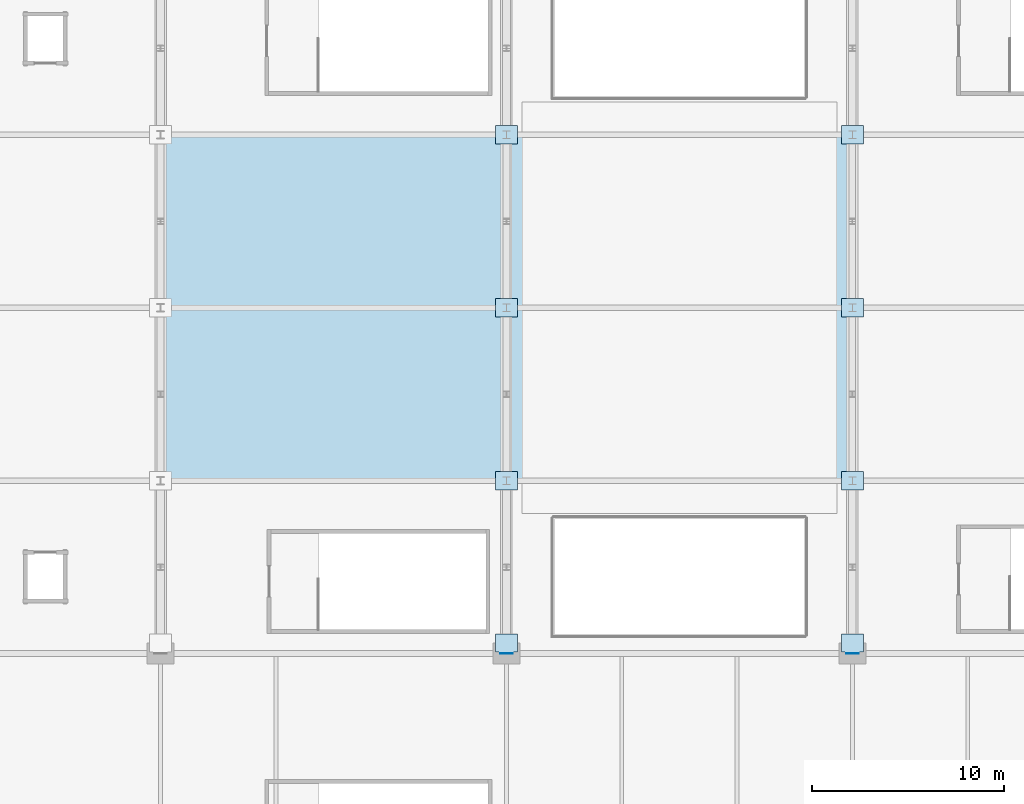
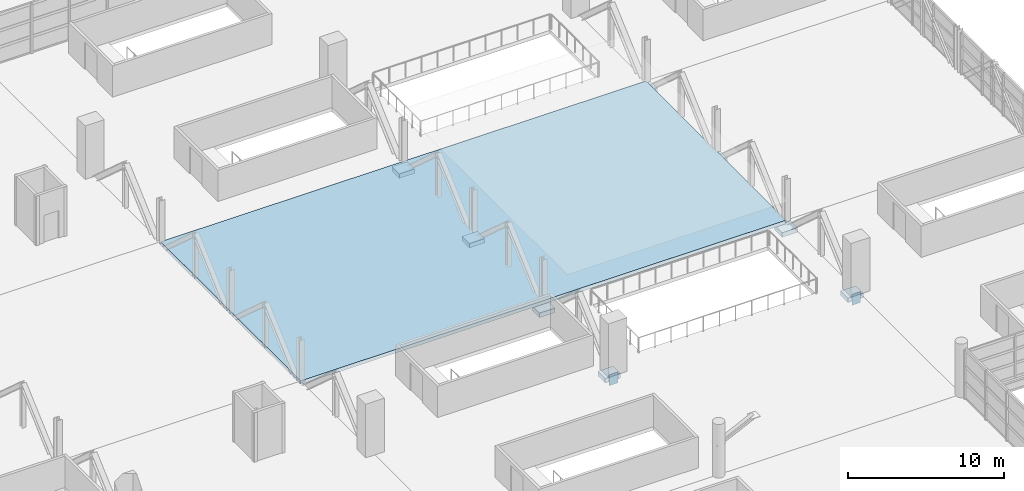
# One storey, part 106 of 136: 10 plates, 1 slab.
"""IFC4 building model written with IfcOpenShell, lengths in metres."""

from ifc_helpers import new_model, si_unit, direction, frame, origin, origin_2d, place, context, subcontext, project, spatial, polyline, rectangle, outline, extrude, material, layer, layer_set, type_object, element, save


model = new_model("IFC4")

# Units and contexts
model_context = context("Model", 3, precision=1e-05, world=origin(), true_north=direction((0.0, 1.0)))
body_context = subcontext(model_context, "Body", "Model", "MODEL_VIEW")
ifc_project = project(units=[si_unit("LENGTHUNIT", "METRE"), si_unit("AREAUNIT", "SQUARE_METRE"), si_unit("VOLUMEUNIT", "CUBIC_METRE"), si_unit("PLANEANGLEUNIT", "RADIAN"), si_unit("MASSUNIT", "GRAM", prefix="KILO")], contexts=[model_context])

# Site, building, storey
site_placement = place(None, origin())
site = spatial("IfcSite", under=ifc_project, at=site_placement, CompositionType="ELEMENT")
building_placement = place(site_placement, origin())
building = spatial("IfcBuilding", under=site, at=building_placement, Name="Chuanluo Vaults Station", CompositionType="ELEMENT")
storey_placement = place(building_placement, frame((0.0, 0.0, 6.60009765625)))
storey = spatial("IfcBuildingStorey", under=building, at=storey_placement, Name="L01", CompositionType="ELEMENT", Elevation=6.60009765625)

# Plates
ifc_material_1 = material(Name="Steel Q390C", Category="steel")
ifc_layer_1 = layer(ifc_material_1, 0.0400390625)
ifc_layer_set_1 = layer_set([ifc_layer_1], Name="Steel Q390C")
plate_type_1 = type_object("IfcPlateType", Name="PLT-BASE-40", PredefinedType="USERDEFINED", material=ifc_layer_set_1)
for number, where, z_axis, x_axis, name in (
    (1, (72.0, 94.5, -0.8603515625), (0.0, 0.0, 1.0), (1.0, 0.0, 0.0), "Structural steel node diaphragm 0024"),
    (2, (90.0, 94.5, -0.8603515625), (0.0, 0.0, 1.0), (1.0, 0.0, 0.0), "Structural steel node diaphragm 0029"),
):
    element("IfcPlate", number, at=place(storey_placement, frame(where, z_axis=z_axis, x_axis=x_axis)), inside=storey, type_object=plate_type_1, Name=name, ObjectType="BASE_PLATE", PredefinedType="USERDEFINED", context=body_context, shape_type="SweptSolid", body=[
        extrude(rectangle(XDim=1.14990234375, YDim=0.949951171875, at=origin_2d()), origin(), (0.0, 0.0, 1.0), 0.360107421875),
    ])
ifc_material_2 = material(Name="Steel Q390C", Category="steel")
ifc_layer_2 = layer(ifc_material_2, 0.02587890625)
ifc_layer_set_2 = layer_set([ifc_layer_2], Name="Steel Q390C")
plate_type_2 = type_object("IfcPlateType", Name="PLT-CAP-26", PredefinedType="USERDEFINED", material=ifc_layer_set_2)
for number, where, z_axis, x_axis, name in (
    (3, (72.0, 67.5, -1.10009765625), (0.0, 0.0, 1.0), (1.0, 0.0, 0.0), "Truss TT-5 bottom chord end cap S"),
    (4, (90.0, 67.5, -1.10009765625), (0.0, 0.0, 1.0), (1.0, 0.0, 0.0), "Truss TT-6 bottom chord end cap S"),
):
    element("IfcPlate", number, at=place(storey_placement, frame(where, z_axis=z_axis, x_axis=x_axis)), inside=storey, type_object=plate_type_2, Name=name, ObjectType="COVER_PLATE", PredefinedType="USERDEFINED", context=body_context, shape_type="SweptSolid", body=[
        extrude(rectangle(XDim=0.639892578125, YDim=0.02587890625, at=origin_2d()), origin(), (0.0, 0.0, 1.0), 0.840087890625),
    ])
ifc_material_3 = material(Name="Steel Q355C", Category="steel")
ifc_layer_3 = layer(ifc_material_3, 0.02001953125)
ifc_layer_set_3 = layer_set([ifc_layer_3], Name="Steel Q355C")
plate_type_3 = type_object("IfcPlateType", Name="PLT-GUS-20", PredefinedType="USERDEFINED", material=ifc_layer_set_3)
for number, where, z_axis, x_axis, name in (
    (5, (72.0, 76.5, -0.8603515625), (0.0, 0.0, 1.0), (1.0, 0.0, 0.0), "Structural steel node diaphragm 0022"),
    (6, (90.0, 76.5, -0.8603515625), (0.0, 0.0, 1.0), (1.0, 0.0, 0.0), "Structural steel node diaphragm 0027"),
):
    element("IfcPlate", number, at=place(storey_placement, frame(where, z_axis=z_axis, x_axis=x_axis)), inside=storey, type_object=plate_type_3, Name=name, ObjectType="STIFFENER_PLATE", PredefinedType="USERDEFINED", context=body_context, shape_type="SweptSolid", body=[
        extrude(rectangle(XDim=1.14990234375, YDim=0.949951171875, at=origin_2d()), origin(), (0.0, 0.0, 1.0), 0.360107421875),
    ])
ifc_material_4 = material(Name="Steel Q390C", Category="steel")
ifc_layer_4 = layer(ifc_material_4, 0.028076171875)
ifc_layer_set_4 = layer_set([ifc_layer_4], Name="Steel Q390C")
plate_type_4 = type_object("IfcPlateType", Name="PLT-GUS-28", PredefinedType="USERDEFINED", material=ifc_layer_set_4)
for number, where, z_axis, x_axis, name in (
    (7, (72.0, 68.050048828125, -0.8603515625), (0.0, 0.0, 1.0), (1.0, 0.0, 0.0), "Structural steel node diaphragm 0021"),
    (8, (90.0, 68.050048828125, -0.8603515625), (0.0, 0.0, 1.0), (1.0, 0.0, 0.0), "Structural steel node diaphragm 0026"),
):
    element("IfcPlate", number, at=place(storey_placement, frame(where, z_axis=z_axis, x_axis=x_axis)), inside=storey, type_object=plate_type_4, Name=name, ObjectType="GUSSET_PLATE", PredefinedType="USERDEFINED", context=body_context, shape_type="SweptSolid", body=[
        extrude(rectangle(XDim=1.14990234375, YDim=0.949951171875, at=origin_2d()), origin(), (0.0, 0.0, 1.0), 0.360107421875),
    ])
ifc_material_5 = material(Name="Steel Q355C", Category="steel")
ifc_layer_5 = layer(ifc_material_5, 0.02197265625)
ifc_layer_set_5 = layer_set([ifc_layer_5], Name="Steel Q355C")
plate_type_5 = type_object("IfcPlateType", Name="PLT-SPL-22", PredefinedType="USERDEFINED", material=ifc_layer_set_5)
for number, where, z_axis, x_axis, name in (
    (9, (72.0, 85.5, -0.8603515625), (0.0, 0.0, 1.0), (1.0, 0.0, 0.0), "Structural steel node diaphragm 0023"),
    (10, (90.0, 85.5, -0.8603515625), (0.0, 0.0, 1.0), (1.0, 0.0, 0.0), "Structural steel node diaphragm 0028"),
):
    element("IfcPlate", number, at=place(storey_placement, frame(where, z_axis=z_axis, x_axis=x_axis)), inside=storey, type_object=plate_type_5, Name=name, ObjectType="SPLICE_PLATE", PredefinedType="USERDEFINED", context=body_context, shape_type="SweptSolid", body=[
        extrude(rectangle(XDim=1.14990234375, YDim=0.949951171875, at=origin_2d()), origin(), (0.0, 0.0, 1.0), 0.360107421875),
    ])

# Slab
ifc_material_6 = material(Name="Concrete C40", Category="concrete")
ifc_layer_6 = layer(ifc_material_6, 0.280029296875)
ifc_layer_set_6 = layer_set([ifc_layer_6], Name="Concrete C40")
slab_type = type_object("IfcSlabType", Name="SLB-CON-280", PredefinedType="FLOOR", material=ifc_layer_set_6)
slab_placement = place(storey_placement, frame((0.0, 0.0, -0.280029296875)))
element("IfcSlab", 11, at=slab_placement, inside=storey, type_object=slab_type, Name="L01 OTRK slab 05", PredefinedType="FLOOR", context=body_context, shape_type="SweptSolid", body=[
    extrude(outline(polyline([(54.0, 76.5), (90.0, 76.5), (90.0, 94.5), (54.0, 94.5), (54.0, 76.5)])), origin(), (0.0, 0.0, 1.0), 0.280029296875),
])

save(model, "model.ifc")
